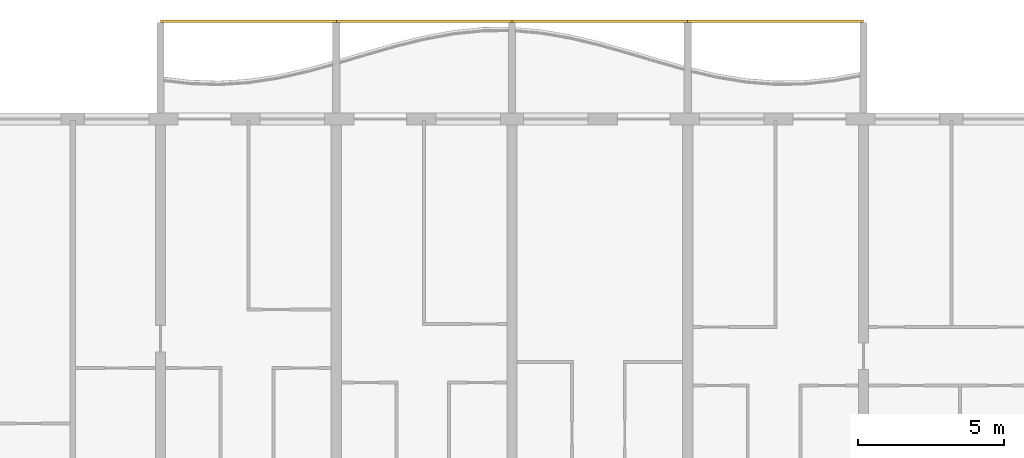
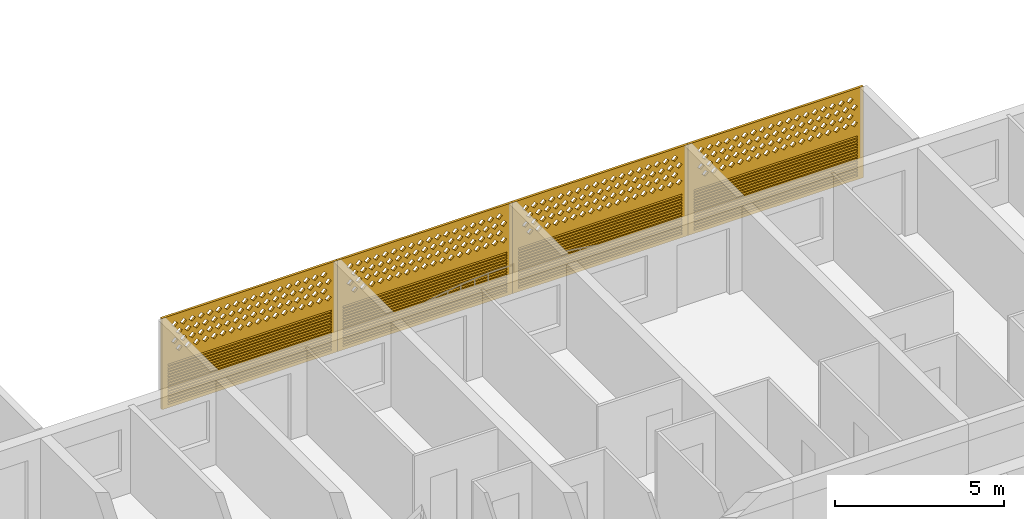
# One storey, part 22 of 24: 4 coverings.
"""IFC4 building model written with IfcOpenShell, lengths in metres."""

from ifc_helpers import new_model, si_unit, direction, frame, origin, place, context, subcontext, project, spatial, polyline, outline, extrude, source, transform, mapped, material, material_profile, profile_set, type_object, element, save


model = new_model("IFC4")

# Units and contexts
model_context = context("Model", 3, precision=1e-05, world=origin(), true_north=direction((0.0, 1.0)))
body_context = subcontext(model_context, "Body", "Model", "MODEL_VIEW")
ifc_project = project(units=[si_unit("LENGTHUNIT", "METRE"), si_unit("AREAUNIT", "SQUARE_METRE"), si_unit("VOLUMEUNIT", "CUBIC_METRE"), si_unit("PLANEANGLEUNIT", "RADIAN"), si_unit("MASSUNIT", "GRAM", prefix="KILO")], contexts=[model_context])

# Site, building, storey
site_placement = place(None, origin())
site = spatial("IfcSite", under=ifc_project, at=site_placement, CompositionType="ELEMENT")
building_placement = place(site_placement, origin())
building = spatial("IfcBuilding", under=site, at=building_placement, Name="Poui Terraces", CompositionType="ELEMENT")
storey_placement = place(building_placement, frame((0.0, 0.0, 109.199951171875)))
storey = spatial("IfcBuildingStorey", under=building, at=storey_placement, Name="L30", CompositionType="ELEMENT", Elevation=109.199951171875)

# Coverings
ifc_material = material(Name="Terracotta screen", Category="masonry")
ifc_material_profile = material_profile(ifc_material, outline(polyline([(-3.0, -1.64990234375), (3.0, -1.64990234375), (3.0, 1.64990234375), (-3.0, 1.64990234375), (-3.0, -1.64990234375)]), holes=[polyline([(-2.800048828125, 0.39990234375), (-2.68994140625, 0.2900390625), (-2.580078125, 0.39990234375), (-2.68994140625, 0.510009765625), (-2.800048828125, 0.39990234375)]), polyline([(-2.5, 0.39990234375), (-2.389892578125, 0.2900390625), (-2.280029296875, 0.39990234375), (-2.389892578125, 0.510009765625), (-2.5, 0.39990234375)]), polyline([(-2.199951171875, 0.39990234375), (-2.090087890625, 0.2900390625), (-1.97998046875, 0.39990234375), (-2.090087890625, 0.510009765625), (-2.199951171875, 0.39990234375)]), polyline([(-1.89990234375, 0.39990234375), (-1.7900390625, 0.2900390625), (-1.679931640625, 0.39990234375), (-1.7900390625, 0.510009765625), (-1.89990234375, 0.39990234375)]), polyline([(-1.60009765625, 0.39990234375), (-1.489990234375, 0.2900390625), (-1.3798828125, 0.39990234375), (-1.489990234375, 0.510009765625), (-1.60009765625, 0.39990234375)]), polyline([(-1.300048828125, 0.39990234375), (-1.18994140625, 0.2900390625), (-1.080078125, 0.39990234375), (-1.18994140625, 0.510009765625), (-1.300048828125, 0.39990234375)]), polyline([(-1.0, 0.39990234375), (-0.889892578125, 0.2900390625), (-0.780029296875, 0.39990234375), (-0.889892578125, 0.510009765625), (-1.0, 0.39990234375)]), polyline([(-0.699951171875, 0.39990234375), (-0.590087890625, 0.2900390625), (-0.47998046875, 0.39990234375), (-0.590087890625, 0.510009765625), (-0.699951171875, 0.39990234375)]), polyline([(-0.39990234375, 0.39990234375), (-0.2900390625, 0.2900390625), (-0.179931640625, 0.39990234375), (-0.2900390625, 0.510009765625), (-0.39990234375, 0.39990234375)]), polyline([(-0.10009765625, 0.39990234375), (0.010009765625, 0.2900390625), (0.1201171875, 0.39990234375), (0.010009765625, 0.510009765625), (-0.10009765625, 0.39990234375)]), polyline([(0.199951171875, 0.39990234375), (0.31005859375, 0.2900390625), (0.419921875, 0.39990234375), (0.31005859375, 0.510009765625), (0.199951171875, 0.39990234375)]), polyline([(0.5, 0.39990234375), (0.610107421875, 0.2900390625), (0.719970703125, 0.39990234375), (0.610107421875, 0.510009765625), (0.5, 0.39990234375)]), polyline([(0.800048828125, 0.39990234375), (0.909912109375, 0.2900390625), (1.02001953125, 0.39990234375), (0.909912109375, 0.510009765625), (0.800048828125, 0.39990234375)]), polyline([(1.10009765625, 0.39990234375), (1.2099609375, 0.2900390625), (1.320068359375, 0.39990234375), (1.2099609375, 0.510009765625), (1.10009765625, 0.39990234375)]), polyline([(1.39990234375, 0.39990234375), (1.510009765625, 0.2900390625), (1.6201171875, 0.39990234375), (1.510009765625, 0.510009765625), (1.39990234375, 0.39990234375)]), polyline([(1.699951171875, 0.39990234375), (1.81005859375, 0.2900390625), (1.919921875, 0.39990234375), (1.81005859375, 0.510009765625), (1.699951171875, 0.39990234375)]), polyline([(2.0, 0.39990234375), (2.110107421875, 0.2900390625), (2.219970703125, 0.39990234375), (2.110107421875, 0.510009765625), (2.0, 0.39990234375)]), polyline([(2.300048828125, 0.39990234375), (2.409912109375, 0.2900390625), (2.52001953125, 0.39990234375), (2.409912109375, 0.510009765625), (2.300048828125, 0.39990234375)]), polyline([(-2.64990234375, 0.699951171875), (-2.5400390625, 0.590087890625), (-2.429931640625, 0.699951171875), (-2.5400390625, 0.81005859375), (-2.64990234375, 0.699951171875)]), polyline([(-2.35009765625, 0.699951171875), (-2.239990234375, 0.590087890625), (-2.1298828125, 0.699951171875), (-2.239990234375, 0.81005859375), (-2.35009765625, 0.699951171875)]), polyline([(-2.050048828125, 0.699951171875), (-1.93994140625, 0.590087890625), (-1.830078125, 0.699951171875), (-1.93994140625, 0.81005859375), (-2.050048828125, 0.699951171875)]), polyline([(-1.75, 0.699951171875), (-1.639892578125, 0.590087890625), (-1.530029296875, 0.699951171875), (-1.639892578125, 0.81005859375), (-1.75, 0.699951171875)]), polyline([(-1.449951171875, 0.699951171875), (-1.340087890625, 0.590087890625), (-1.22998046875, 0.699951171875), (-1.340087890625, 0.81005859375), (-1.449951171875, 0.699951171875)]), polyline([(-1.14990234375, 0.699951171875), (-1.0400390625, 0.590087890625), (-0.929931640625, 0.699951171875), (-1.0400390625, 0.81005859375), (-1.14990234375, 0.699951171875)]), polyline([(-0.85009765625, 0.699951171875), (-0.739990234375, 0.590087890625), (-0.6298828125, 0.699951171875), (-0.739990234375, 0.81005859375), (-0.85009765625, 0.699951171875)]), polyline([(-0.550048828125, 0.699951171875), (-0.43994140625, 0.590087890625), (-0.330078125, 0.699951171875), (-0.43994140625, 0.81005859375), (-0.550048828125, 0.699951171875)]), polyline([(-0.25, 0.699951171875), (-0.139892578125, 0.590087890625), (-0.030029296875, 0.699951171875), (-0.139892578125, 0.81005859375), (-0.25, 0.699951171875)]), polyline([(0.050048828125, 0.699951171875), (0.159912109375, 0.590087890625), (0.27001953125, 0.699951171875), (0.159912109375, 0.81005859375), (0.050048828125, 0.699951171875)]), polyline([(0.35009765625, 0.699951171875), (0.4599609375, 0.590087890625), (0.570068359375, 0.699951171875), (0.4599609375, 0.81005859375), (0.35009765625, 0.699951171875)]), polyline([(0.64990234375, 0.699951171875), (0.760009765625, 0.590087890625), (0.8701171875, 0.699951171875), (0.760009765625, 0.81005859375), (0.64990234375, 0.699951171875)]), polyline([(0.949951171875, 0.699951171875), (1.06005859375, 0.590087890625), (1.169921875, 0.699951171875), (1.06005859375, 0.81005859375), (0.949951171875, 0.699951171875)]), polyline([(1.25, 0.699951171875), (1.360107421875, 0.590087890625), (1.469970703125, 0.699951171875), (1.360107421875, 0.81005859375), (1.25, 0.699951171875)]), polyline([(1.550048828125, 0.699951171875), (1.659912109375, 0.590087890625), (1.77001953125, 0.699951171875), (1.659912109375, 0.81005859375), (1.550048828125, 0.699951171875)]), polyline([(1.85009765625, 0.699951171875), (1.9599609375, 0.590087890625), (2.070068359375, 0.699951171875), (1.9599609375, 0.81005859375), (1.85009765625, 0.699951171875)]), polyline([(2.14990234375, 0.699951171875), (2.260009765625, 0.590087890625), (2.3701171875, 0.699951171875), (2.260009765625, 0.81005859375), (2.14990234375, 0.699951171875)]), polyline([(2.449951171875, 0.699951171875), (2.56005859375, 0.590087890625), (2.669921875, 0.699951171875), (2.56005859375, 0.81005859375), (2.449951171875, 0.699951171875)]), polyline([(-2.800048828125, 1.0), (-2.68994140625, 0.889892578125), (-2.580078125, 1.0), (-2.68994140625, 1.110107421875), (-2.800048828125, 1.0)]), polyline([(-2.5, 1.0), (-2.389892578125, 0.889892578125), (-2.280029296875, 1.0), (-2.389892578125, 1.110107421875), (-2.5, 1.0)]), polyline([(-2.199951171875, 1.0), (-2.090087890625, 0.889892578125), (-1.97998046875, 1.0), (-2.090087890625, 1.110107421875), (-2.199951171875, 1.0)]), polyline([(-1.89990234375, 1.0), (-1.7900390625, 0.889892578125), (-1.679931640625, 1.0), (-1.7900390625, 1.110107421875), (-1.89990234375, 1.0)]), polyline([(-1.60009765625, 1.0), (-1.489990234375, 0.889892578125), (-1.3798828125, 1.0), (-1.489990234375, 1.110107421875), (-1.60009765625, 1.0)]), polyline([(-1.300048828125, 1.0), (-1.18994140625, 0.889892578125), (-1.080078125, 1.0), (-1.18994140625, 1.110107421875), (-1.300048828125, 1.0)]), polyline([(-1.0, 1.0), (-0.889892578125, 0.889892578125), (-0.780029296875, 1.0), (-0.889892578125, 1.110107421875), (-1.0, 1.0)]), polyline([(-0.699951171875, 1.0), (-0.590087890625, 0.889892578125), (-0.47998046875, 1.0), (-0.590087890625, 1.110107421875), (-0.699951171875, 1.0)]), polyline([(-0.39990234375, 1.0), (-0.2900390625, 0.889892578125), (-0.179931640625, 1.0), (-0.2900390625, 1.110107421875), (-0.39990234375, 1.0)]), polyline([(-0.10009765625, 1.0), (0.010009765625, 0.889892578125), (0.1201171875, 1.0), (0.010009765625, 1.110107421875), (-0.10009765625, 1.0)]), polyline([(0.199951171875, 1.0), (0.31005859375, 0.889892578125), (0.419921875, 1.0), (0.31005859375, 1.110107421875), (0.199951171875, 1.0)]), polyline([(0.5, 1.0), (0.610107421875, 0.889892578125), (0.719970703125, 1.0), (0.610107421875, 1.110107421875), (0.5, 1.0)]), polyline([(0.800048828125, 1.0), (0.909912109375, 0.889892578125), (1.02001953125, 1.0), (0.909912109375, 1.110107421875), (0.800048828125, 1.0)]), polyline([(1.10009765625, 1.0), (1.2099609375, 0.889892578125), (1.320068359375, 1.0), (1.2099609375, 1.110107421875), (1.10009765625, 1.0)]), polyline([(1.39990234375, 1.0), (1.510009765625, 0.889892578125), (1.6201171875, 1.0), (1.510009765625, 1.110107421875), (1.39990234375, 1.0)]), polyline([(1.699951171875, 1.0), (1.81005859375, 0.889892578125), (1.919921875, 1.0), (1.81005859375, 1.110107421875), (1.699951171875, 1.0)]), polyline([(2.0, 1.0), (2.110107421875, 0.889892578125), (2.219970703125, 1.0), (2.110107421875, 1.110107421875), (2.0, 1.0)]), polyline([(2.300048828125, 1.0), (2.409912109375, 0.889892578125), (2.52001953125, 1.0), (2.409912109375, 1.110107421875), (2.300048828125, 1.0)]), polyline([(-2.64990234375, 1.300048828125), (-2.5400390625, 1.18994140625), (-2.429931640625, 1.300048828125), (-2.5400390625, 1.409912109375), (-2.64990234375, 1.300048828125)]), polyline([(-2.35009765625, 1.300048828125), (-2.239990234375, 1.18994140625), (-2.1298828125, 1.300048828125), (-2.239990234375, 1.409912109375), (-2.35009765625, 1.300048828125)]), polyline([(-2.050048828125, 1.300048828125), (-1.93994140625, 1.18994140625), (-1.830078125, 1.300048828125), (-1.93994140625, 1.409912109375), (-2.050048828125, 1.300048828125)]), polyline([(-1.75, 1.300048828125), (-1.639892578125, 1.18994140625), (-1.530029296875, 1.300048828125), (-1.639892578125, 1.409912109375), (-1.75, 1.300048828125)]), polyline([(-1.449951171875, 1.300048828125), (-1.340087890625, 1.18994140625), (-1.22998046875, 1.300048828125), (-1.340087890625, 1.409912109375), (-1.449951171875, 1.300048828125)]), polyline([(-1.14990234375, 1.300048828125), (-1.0400390625, 1.18994140625), (-0.929931640625, 1.300048828125), (-1.0400390625, 1.409912109375), (-1.14990234375, 1.300048828125)]), polyline([(-0.85009765625, 1.300048828125), (-0.739990234375, 1.18994140625), (-0.6298828125, 1.300048828125), (-0.739990234375, 1.409912109375), (-0.85009765625, 1.300048828125)]), polyline([(-0.550048828125, 1.300048828125), (-0.43994140625, 1.18994140625), (-0.330078125, 1.300048828125), (-0.43994140625, 1.409912109375), (-0.550048828125, 1.300048828125)]), polyline([(-0.25, 1.300048828125), (-0.139892578125, 1.18994140625), (-0.030029296875, 1.300048828125), (-0.139892578125, 1.409912109375), (-0.25, 1.300048828125)]), polyline([(0.050048828125, 1.300048828125), (0.159912109375, 1.18994140625), (0.27001953125, 1.300048828125), (0.159912109375, 1.409912109375), (0.050048828125, 1.300048828125)]), polyline([(0.35009765625, 1.300048828125), (0.4599609375, 1.18994140625), (0.570068359375, 1.300048828125), (0.4599609375, 1.409912109375), (0.35009765625, 1.300048828125)]), polyline([(0.64990234375, 1.300048828125), (0.760009765625, 1.18994140625), (0.8701171875, 1.300048828125), (0.760009765625, 1.409912109375), (0.64990234375, 1.300048828125)]), polyline([(0.949951171875, 1.300048828125), (1.06005859375, 1.18994140625), (1.169921875, 1.300048828125), (1.06005859375, 1.409912109375), (0.949951171875, 1.300048828125)]), polyline([(1.25, 1.300048828125), (1.360107421875, 1.18994140625), (1.469970703125, 1.300048828125), (1.360107421875, 1.409912109375), (1.25, 1.300048828125)]), polyline([(1.550048828125, 1.300048828125), (1.659912109375, 1.18994140625), (1.77001953125, 1.300048828125), (1.659912109375, 1.409912109375), (1.550048828125, 1.300048828125)]), polyline([(1.85009765625, 1.300048828125), (1.9599609375, 1.18994140625), (2.070068359375, 1.300048828125), (1.9599609375, 1.409912109375), (1.85009765625, 1.300048828125)]), polyline([(2.14990234375, 1.300048828125), (2.260009765625, 1.18994140625), (2.3701171875, 1.300048828125), (2.260009765625, 1.409912109375), (2.14990234375, 1.300048828125)]), polyline([(2.449951171875, 1.300048828125), (2.56005859375, 1.18994140625), (2.669921875, 1.300048828125), (2.56005859375, 1.409912109375), (2.449951171875, 1.300048828125)]), polyline([(-2.800048828125, -1.530029296875), (2.800048828125, -1.530029296875), (2.800048828125, -1.469970703125), (-2.800048828125, -1.469970703125), (-2.800048828125, -1.530029296875)]), polyline([(-2.800048828125, -1.429931640625), (2.800048828125, -1.429931640625), (2.800048828125, -1.3701171875), (-2.800048828125, -1.3701171875), (-2.800048828125, -1.429931640625)]), polyline([(-2.800048828125, -1.330078125), (2.800048828125, -1.330078125), (2.800048828125, -1.27001953125), (-2.800048828125, -1.27001953125), (-2.800048828125, -1.330078125)]), polyline([(-2.800048828125, -1.22998046875), (2.800048828125, -1.22998046875), (2.800048828125, -1.169921875), (-2.800048828125, -1.169921875), (-2.800048828125, -1.22998046875)]), polyline([(-2.800048828125, -1.1298828125), (2.800048828125, -1.1298828125), (2.800048828125, -1.070068359375), (-2.800048828125, -1.070068359375), (-2.800048828125, -1.1298828125)]), polyline([(-2.800048828125, -1.030029296875), (2.800048828125, -1.030029296875), (2.800048828125, -0.969970703125), (-2.800048828125, -0.969970703125), (-2.800048828125, -1.030029296875)]), polyline([(-2.800048828125, -0.929931640625), (2.800048828125, -0.929931640625), (2.800048828125, -0.8701171875), (-2.800048828125, -0.8701171875), (-2.800048828125, -0.929931640625)]), polyline([(-2.800048828125, -0.830078125), (2.800048828125, -0.830078125), (2.800048828125, -0.77001953125), (-2.800048828125, -0.77001953125), (-2.800048828125, -0.830078125)]), polyline([(-2.800048828125, -0.72998046875), (2.800048828125, -0.72998046875), (2.800048828125, -0.669921875), (-2.800048828125, -0.669921875), (-2.800048828125, -0.72998046875)]), polyline([(-2.800048828125, -0.6298828125), (2.800048828125, -0.6298828125), (2.800048828125, -0.570068359375), (-2.800048828125, -0.570068359375), (-2.800048828125, -0.6298828125)]), polyline([(-2.800048828125, -0.530029296875), (2.800048828125, -0.530029296875), (2.800048828125, -0.469970703125), (-2.800048828125, -0.469970703125), (-2.800048828125, -0.530029296875)]), polyline([(-2.800048828125, -0.429931640625), (2.800048828125, -0.429931640625), (2.800048828125, -0.3701171875), (-2.800048828125, -0.3701171875), (-2.800048828125, -0.429931640625)]), polyline([(-2.800048828125, -0.330078125), (2.800048828125, -0.330078125), (2.800048828125, -0.27001953125), (-2.800048828125, -0.27001953125), (-2.800048828125, -0.330078125)]), polyline([(-2.800048828125, -0.22998046875), (2.800048828125, -0.22998046875), (2.800048828125, -0.169921875), (-2.800048828125, -0.169921875), (-2.800048828125, -0.22998046875)]), polyline([(-2.800048828125, -0.1298828125), (2.800048828125, -0.1298828125), (2.800048828125, -0.070068359375), (-2.800048828125, -0.070068359375), (-2.800048828125, -0.1298828125)])]), Name="TERRACOTTA SCREEN AND JALOUSIE LOUVRE 6000X3300")
ifc_profile_set = profile_set([ifc_material_profile], Name="Terracotta screen")
covering_type = type_object("IfcCoveringType", Name="TERRACOTTA SCREEN AND JALOUSIE LOUVRE 6000X3300", PredefinedType="CLADDING", material=ifc_profile_set)
shared_shape = source(origin(), body_context, "Body", "SweptSolid", [
    extrude(outline(polyline([(-3.0, -1.64990234375), (3.0, -1.64990234375), (3.0, 1.64990234375), (-3.0, 1.64990234375), (-3.0, -1.64990234375)]), holes=[polyline([(-2.800048828125, 0.39990234375), (-2.68994140625, 0.2900390625), (-2.580078125, 0.39990234375), (-2.68994140625, 0.510009765625), (-2.800048828125, 0.39990234375)]), polyline([(-2.5, 0.39990234375), (-2.389892578125, 0.2900390625), (-2.280029296875, 0.39990234375), (-2.389892578125, 0.510009765625), (-2.5, 0.39990234375)]), polyline([(-2.199951171875, 0.39990234375), (-2.090087890625, 0.2900390625), (-1.97998046875, 0.39990234375), (-2.090087890625, 0.510009765625), (-2.199951171875, 0.39990234375)]), polyline([(-1.89990234375, 0.39990234375), (-1.7900390625, 0.2900390625), (-1.679931640625, 0.39990234375), (-1.7900390625, 0.510009765625), (-1.89990234375, 0.39990234375)]), polyline([(-1.60009765625, 0.39990234375), (-1.489990234375, 0.2900390625), (-1.3798828125, 0.39990234375), (-1.489990234375, 0.510009765625), (-1.60009765625, 0.39990234375)]), polyline([(-1.300048828125, 0.39990234375), (-1.18994140625, 0.2900390625), (-1.080078125, 0.39990234375), (-1.18994140625, 0.510009765625), (-1.300048828125, 0.39990234375)]), polyline([(-1.0, 0.39990234375), (-0.889892578125, 0.2900390625), (-0.780029296875, 0.39990234375), (-0.889892578125, 0.510009765625), (-1.0, 0.39990234375)]), polyline([(-0.699951171875, 0.39990234375), (-0.590087890625, 0.2900390625), (-0.47998046875, 0.39990234375), (-0.590087890625, 0.510009765625), (-0.699951171875, 0.39990234375)]), polyline([(-0.39990234375, 0.39990234375), (-0.2900390625, 0.2900390625), (-0.179931640625, 0.39990234375), (-0.2900390625, 0.510009765625), (-0.39990234375, 0.39990234375)]), polyline([(-0.10009765625, 0.39990234375), (0.010009765625, 0.2900390625), (0.1201171875, 0.39990234375), (0.010009765625, 0.510009765625), (-0.10009765625, 0.39990234375)]), polyline([(0.199951171875, 0.39990234375), (0.31005859375, 0.2900390625), (0.419921875, 0.39990234375), (0.31005859375, 0.510009765625), (0.199951171875, 0.39990234375)]), polyline([(0.5, 0.39990234375), (0.610107421875, 0.2900390625), (0.719970703125, 0.39990234375), (0.610107421875, 0.510009765625), (0.5, 0.39990234375)]), polyline([(0.800048828125, 0.39990234375), (0.909912109375, 0.2900390625), (1.02001953125, 0.39990234375), (0.909912109375, 0.510009765625), (0.800048828125, 0.39990234375)]), polyline([(1.10009765625, 0.39990234375), (1.2099609375, 0.2900390625), (1.320068359375, 0.39990234375), (1.2099609375, 0.510009765625), (1.10009765625, 0.39990234375)]), polyline([(1.39990234375, 0.39990234375), (1.510009765625, 0.2900390625), (1.6201171875, 0.39990234375), (1.510009765625, 0.510009765625), (1.39990234375, 0.39990234375)]), polyline([(1.699951171875, 0.39990234375), (1.81005859375, 0.2900390625), (1.919921875, 0.39990234375), (1.81005859375, 0.510009765625), (1.699951171875, 0.39990234375)]), polyline([(2.0, 0.39990234375), (2.110107421875, 0.2900390625), (2.219970703125, 0.39990234375), (2.110107421875, 0.510009765625), (2.0, 0.39990234375)]), polyline([(2.300048828125, 0.39990234375), (2.409912109375, 0.2900390625), (2.52001953125, 0.39990234375), (2.409912109375, 0.510009765625), (2.300048828125, 0.39990234375)]), polyline([(-2.64990234375, 0.699951171875), (-2.5400390625, 0.590087890625), (-2.429931640625, 0.699951171875), (-2.5400390625, 0.81005859375), (-2.64990234375, 0.699951171875)]), polyline([(-2.35009765625, 0.699951171875), (-2.239990234375, 0.590087890625), (-2.1298828125, 0.699951171875), (-2.239990234375, 0.81005859375), (-2.35009765625, 0.699951171875)]), polyline([(-2.050048828125, 0.699951171875), (-1.93994140625, 0.590087890625), (-1.830078125, 0.699951171875), (-1.93994140625, 0.81005859375), (-2.050048828125, 0.699951171875)]), polyline([(-1.75, 0.699951171875), (-1.639892578125, 0.590087890625), (-1.530029296875, 0.699951171875), (-1.639892578125, 0.81005859375), (-1.75, 0.699951171875)]), polyline([(-1.449951171875, 0.699951171875), (-1.340087890625, 0.590087890625), (-1.22998046875, 0.699951171875), (-1.340087890625, 0.81005859375), (-1.449951171875, 0.699951171875)]), polyline([(-1.14990234375, 0.699951171875), (-1.0400390625, 0.590087890625), (-0.929931640625, 0.699951171875), (-1.0400390625, 0.81005859375), (-1.14990234375, 0.699951171875)]), polyline([(-0.85009765625, 0.699951171875), (-0.739990234375, 0.590087890625), (-0.6298828125, 0.699951171875), (-0.739990234375, 0.81005859375), (-0.85009765625, 0.699951171875)]), polyline([(-0.550048828125, 0.699951171875), (-0.43994140625, 0.590087890625), (-0.330078125, 0.699951171875), (-0.43994140625, 0.81005859375), (-0.550048828125, 0.699951171875)]), polyline([(-0.25, 0.699951171875), (-0.139892578125, 0.590087890625), (-0.030029296875, 0.699951171875), (-0.139892578125, 0.81005859375), (-0.25, 0.699951171875)]), polyline([(0.050048828125, 0.699951171875), (0.159912109375, 0.590087890625), (0.27001953125, 0.699951171875), (0.159912109375, 0.81005859375), (0.050048828125, 0.699951171875)]), polyline([(0.35009765625, 0.699951171875), (0.4599609375, 0.590087890625), (0.570068359375, 0.699951171875), (0.4599609375, 0.81005859375), (0.35009765625, 0.699951171875)]), polyline([(0.64990234375, 0.699951171875), (0.760009765625, 0.590087890625), (0.8701171875, 0.699951171875), (0.760009765625, 0.81005859375), (0.64990234375, 0.699951171875)]), polyline([(0.949951171875, 0.699951171875), (1.06005859375, 0.590087890625), (1.169921875, 0.699951171875), (1.06005859375, 0.81005859375), (0.949951171875, 0.699951171875)]), polyline([(1.25, 0.699951171875), (1.360107421875, 0.590087890625), (1.469970703125, 0.699951171875), (1.360107421875, 0.81005859375), (1.25, 0.699951171875)]), polyline([(1.550048828125, 0.699951171875), (1.659912109375, 0.590087890625), (1.77001953125, 0.699951171875), (1.659912109375, 0.81005859375), (1.550048828125, 0.699951171875)]), polyline([(1.85009765625, 0.699951171875), (1.9599609375, 0.590087890625), (2.070068359375, 0.699951171875), (1.9599609375, 0.81005859375), (1.85009765625, 0.699951171875)]), polyline([(2.14990234375, 0.699951171875), (2.260009765625, 0.590087890625), (2.3701171875, 0.699951171875), (2.260009765625, 0.81005859375), (2.14990234375, 0.699951171875)]), polyline([(2.449951171875, 0.699951171875), (2.56005859375, 0.590087890625), (2.669921875, 0.699951171875), (2.56005859375, 0.81005859375), (2.449951171875, 0.699951171875)]), polyline([(-2.800048828125, 1.0), (-2.68994140625, 0.889892578125), (-2.580078125, 1.0), (-2.68994140625, 1.110107421875), (-2.800048828125, 1.0)]), polyline([(-2.5, 1.0), (-2.389892578125, 0.889892578125), (-2.280029296875, 1.0), (-2.389892578125, 1.110107421875), (-2.5, 1.0)]), polyline([(-2.199951171875, 1.0), (-2.090087890625, 0.889892578125), (-1.97998046875, 1.0), (-2.090087890625, 1.110107421875), (-2.199951171875, 1.0)]), polyline([(-1.89990234375, 1.0), (-1.7900390625, 0.889892578125), (-1.679931640625, 1.0), (-1.7900390625, 1.110107421875), (-1.89990234375, 1.0)]), polyline([(-1.60009765625, 1.0), (-1.489990234375, 0.889892578125), (-1.3798828125, 1.0), (-1.489990234375, 1.110107421875), (-1.60009765625, 1.0)]), polyline([(-1.300048828125, 1.0), (-1.18994140625, 0.889892578125), (-1.080078125, 1.0), (-1.18994140625, 1.110107421875), (-1.300048828125, 1.0)]), polyline([(-1.0, 1.0), (-0.889892578125, 0.889892578125), (-0.780029296875, 1.0), (-0.889892578125, 1.110107421875), (-1.0, 1.0)]), polyline([(-0.699951171875, 1.0), (-0.590087890625, 0.889892578125), (-0.47998046875, 1.0), (-0.590087890625, 1.110107421875), (-0.699951171875, 1.0)]), polyline([(-0.39990234375, 1.0), (-0.2900390625, 0.889892578125), (-0.179931640625, 1.0), (-0.2900390625, 1.110107421875), (-0.39990234375, 1.0)]), polyline([(-0.10009765625, 1.0), (0.010009765625, 0.889892578125), (0.1201171875, 1.0), (0.010009765625, 1.110107421875), (-0.10009765625, 1.0)]), polyline([(0.199951171875, 1.0), (0.31005859375, 0.889892578125), (0.419921875, 1.0), (0.31005859375, 1.110107421875), (0.199951171875, 1.0)]), polyline([(0.5, 1.0), (0.610107421875, 0.889892578125), (0.719970703125, 1.0), (0.610107421875, 1.110107421875), (0.5, 1.0)]), polyline([(0.800048828125, 1.0), (0.909912109375, 0.889892578125), (1.02001953125, 1.0), (0.909912109375, 1.110107421875), (0.800048828125, 1.0)]), polyline([(1.10009765625, 1.0), (1.2099609375, 0.889892578125), (1.320068359375, 1.0), (1.2099609375, 1.110107421875), (1.10009765625, 1.0)]), polyline([(1.39990234375, 1.0), (1.510009765625, 0.889892578125), (1.6201171875, 1.0), (1.510009765625, 1.110107421875), (1.39990234375, 1.0)]), polyline([(1.699951171875, 1.0), (1.81005859375, 0.889892578125), (1.919921875, 1.0), (1.81005859375, 1.110107421875), (1.699951171875, 1.0)]), polyline([(2.0, 1.0), (2.110107421875, 0.889892578125), (2.219970703125, 1.0), (2.110107421875, 1.110107421875), (2.0, 1.0)]), polyline([(2.300048828125, 1.0), (2.409912109375, 0.889892578125), (2.52001953125, 1.0), (2.409912109375, 1.110107421875), (2.300048828125, 1.0)]), polyline([(-2.64990234375, 1.300048828125), (-2.5400390625, 1.18994140625), (-2.429931640625, 1.300048828125), (-2.5400390625, 1.409912109375), (-2.64990234375, 1.300048828125)]), polyline([(-2.35009765625, 1.300048828125), (-2.239990234375, 1.18994140625), (-2.1298828125, 1.300048828125), (-2.239990234375, 1.409912109375), (-2.35009765625, 1.300048828125)]), polyline([(-2.050048828125, 1.300048828125), (-1.93994140625, 1.18994140625), (-1.830078125, 1.300048828125), (-1.93994140625, 1.409912109375), (-2.050048828125, 1.300048828125)]), polyline([(-1.75, 1.300048828125), (-1.639892578125, 1.18994140625), (-1.530029296875, 1.300048828125), (-1.639892578125, 1.409912109375), (-1.75, 1.300048828125)]), polyline([(-1.449951171875, 1.300048828125), (-1.340087890625, 1.18994140625), (-1.22998046875, 1.300048828125), (-1.340087890625, 1.409912109375), (-1.449951171875, 1.300048828125)]), polyline([(-1.14990234375, 1.300048828125), (-1.0400390625, 1.18994140625), (-0.929931640625, 1.300048828125), (-1.0400390625, 1.409912109375), (-1.14990234375, 1.300048828125)]), polyline([(-0.85009765625, 1.300048828125), (-0.739990234375, 1.18994140625), (-0.6298828125, 1.300048828125), (-0.739990234375, 1.409912109375), (-0.85009765625, 1.300048828125)]), polyline([(-0.550048828125, 1.300048828125), (-0.43994140625, 1.18994140625), (-0.330078125, 1.300048828125), (-0.43994140625, 1.409912109375), (-0.550048828125, 1.300048828125)]), polyline([(-0.25, 1.300048828125), (-0.139892578125, 1.18994140625), (-0.030029296875, 1.300048828125), (-0.139892578125, 1.409912109375), (-0.25, 1.300048828125)]), polyline([(0.050048828125, 1.300048828125), (0.159912109375, 1.18994140625), (0.27001953125, 1.300048828125), (0.159912109375, 1.409912109375), (0.050048828125, 1.300048828125)]), polyline([(0.35009765625, 1.300048828125), (0.4599609375, 1.18994140625), (0.570068359375, 1.300048828125), (0.4599609375, 1.409912109375), (0.35009765625, 1.300048828125)]), polyline([(0.64990234375, 1.300048828125), (0.760009765625, 1.18994140625), (0.8701171875, 1.300048828125), (0.760009765625, 1.409912109375), (0.64990234375, 1.300048828125)]), polyline([(0.949951171875, 1.300048828125), (1.06005859375, 1.18994140625), (1.169921875, 1.300048828125), (1.06005859375, 1.409912109375), (0.949951171875, 1.300048828125)]), polyline([(1.25, 1.300048828125), (1.360107421875, 1.18994140625), (1.469970703125, 1.300048828125), (1.360107421875, 1.409912109375), (1.25, 1.300048828125)]), polyline([(1.550048828125, 1.300048828125), (1.659912109375, 1.18994140625), (1.77001953125, 1.300048828125), (1.659912109375, 1.409912109375), (1.550048828125, 1.300048828125)]), polyline([(1.85009765625, 1.300048828125), (1.9599609375, 1.18994140625), (2.070068359375, 1.300048828125), (1.9599609375, 1.409912109375), (1.85009765625, 1.300048828125)]), polyline([(2.14990234375, 1.300048828125), (2.260009765625, 1.18994140625), (2.3701171875, 1.300048828125), (2.260009765625, 1.409912109375), (2.14990234375, 1.300048828125)]), polyline([(2.449951171875, 1.300048828125), (2.56005859375, 1.18994140625), (2.669921875, 1.300048828125), (2.56005859375, 1.409912109375), (2.449951171875, 1.300048828125)]), polyline([(-2.800048828125, -1.530029296875), (2.800048828125, -1.530029296875), (2.800048828125, -1.469970703125), (-2.800048828125, -1.469970703125), (-2.800048828125, -1.530029296875)]), polyline([(-2.800048828125, -1.429931640625), (2.800048828125, -1.429931640625), (2.800048828125, -1.3701171875), (-2.800048828125, -1.3701171875), (-2.800048828125, -1.429931640625)]), polyline([(-2.800048828125, -1.330078125), (2.800048828125, -1.330078125), (2.800048828125, -1.27001953125), (-2.800048828125, -1.27001953125), (-2.800048828125, -1.330078125)]), polyline([(-2.800048828125, -1.22998046875), (2.800048828125, -1.22998046875), (2.800048828125, -1.169921875), (-2.800048828125, -1.169921875), (-2.800048828125, -1.22998046875)]), polyline([(-2.800048828125, -1.1298828125), (2.800048828125, -1.1298828125), (2.800048828125, -1.070068359375), (-2.800048828125, -1.070068359375), (-2.800048828125, -1.1298828125)]), polyline([(-2.800048828125, -1.030029296875), (2.800048828125, -1.030029296875), (2.800048828125, -0.969970703125), (-2.800048828125, -0.969970703125), (-2.800048828125, -1.030029296875)]), polyline([(-2.800048828125, -0.929931640625), (2.800048828125, -0.929931640625), (2.800048828125, -0.8701171875), (-2.800048828125, -0.8701171875), (-2.800048828125, -0.929931640625)]), polyline([(-2.800048828125, -0.830078125), (2.800048828125, -0.830078125), (2.800048828125, -0.77001953125), (-2.800048828125, -0.77001953125), (-2.800048828125, -0.830078125)]), polyline([(-2.800048828125, -0.72998046875), (2.800048828125, -0.72998046875), (2.800048828125, -0.669921875), (-2.800048828125, -0.669921875), (-2.800048828125, -0.72998046875)]), polyline([(-2.800048828125, -0.6298828125), (2.800048828125, -0.6298828125), (2.800048828125, -0.570068359375), (-2.800048828125, -0.570068359375), (-2.800048828125, -0.6298828125)]), polyline([(-2.800048828125, -0.530029296875), (2.800048828125, -0.530029296875), (2.800048828125, -0.469970703125), (-2.800048828125, -0.469970703125), (-2.800048828125, -0.530029296875)]), polyline([(-2.800048828125, -0.429931640625), (2.800048828125, -0.429931640625), (2.800048828125, -0.3701171875), (-2.800048828125, -0.3701171875), (-2.800048828125, -0.429931640625)]), polyline([(-2.800048828125, -0.330078125), (2.800048828125, -0.330078125), (2.800048828125, -0.27001953125), (-2.800048828125, -0.27001953125), (-2.800048828125, -0.330078125)]), polyline([(-2.800048828125, -0.22998046875), (2.800048828125, -0.22998046875), (2.800048828125, -0.169921875), (-2.800048828125, -0.169921875), (-2.800048828125, -0.22998046875)]), polyline([(-2.800048828125, -0.1298828125), (2.800048828125, -0.1298828125), (2.800048828125, -0.070068359375), (-2.800048828125, -0.070068359375), (-2.800048828125, -0.1298828125)])]), origin(), (0.0, 0.0, 1.0), 0.080078125),
])
for number, where, z_axis, x_axis, name in (
    (1, (51.0, 46.89990234375, 1.449951171875), (0.0, 1.0, 0.0), (-1.0, 0.0, 0.0), "SOLAR SCREEN AND JALOUSIE LOUVRE"),
    (2, (57.0, 46.89990234375, 1.449951171875), (0.0, 1.0, 0.0), (-1.0, 0.0, 0.0), "SOLAR SCREEN AND JALOUSIE LOUVRE"),
    (3, (63.0, 46.89990234375, 1.449951171875), (0.0, 1.0, 0.0), (-1.0, 0.0, 0.0), "SOLAR SCREEN AND JALOUSIE LOUVRE"),
    (4, (69.0, 46.89990234375, 1.449951171875), (0.0, 1.0, 0.0), (-1.0, 0.0, 0.0), "SOLAR SCREEN AND JALOUSIE LOUVRE"),
):
    element("IfcCovering", number, at=place(storey_placement, frame(where, z_axis=z_axis, x_axis=x_axis)), inside=storey, type_object=covering_type, Name=name, PredefinedType="CLADDING", context=body_context, shape_type="MappedRepresentation", body=[
        mapped(shared_shape, transform((0.0, 0.0, 0.0))),
    ])

save(model, "model.ifc")
